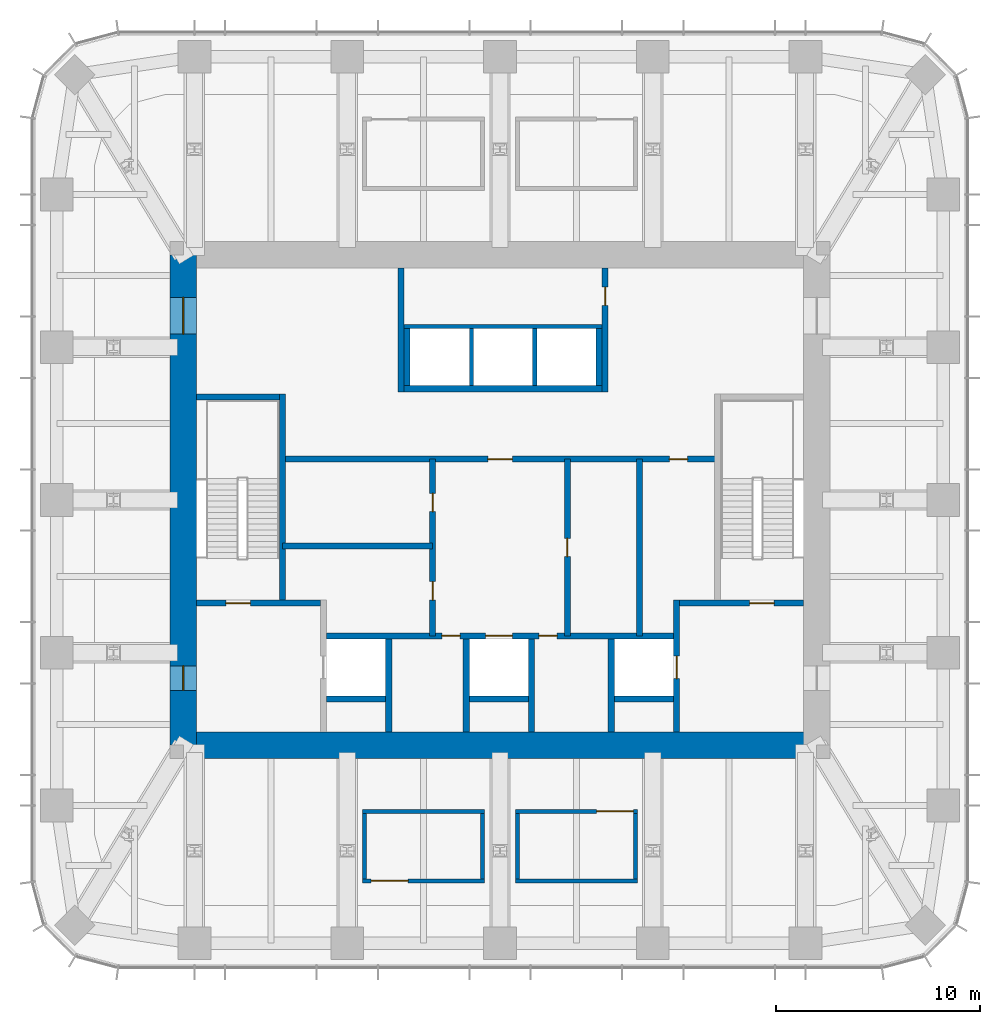
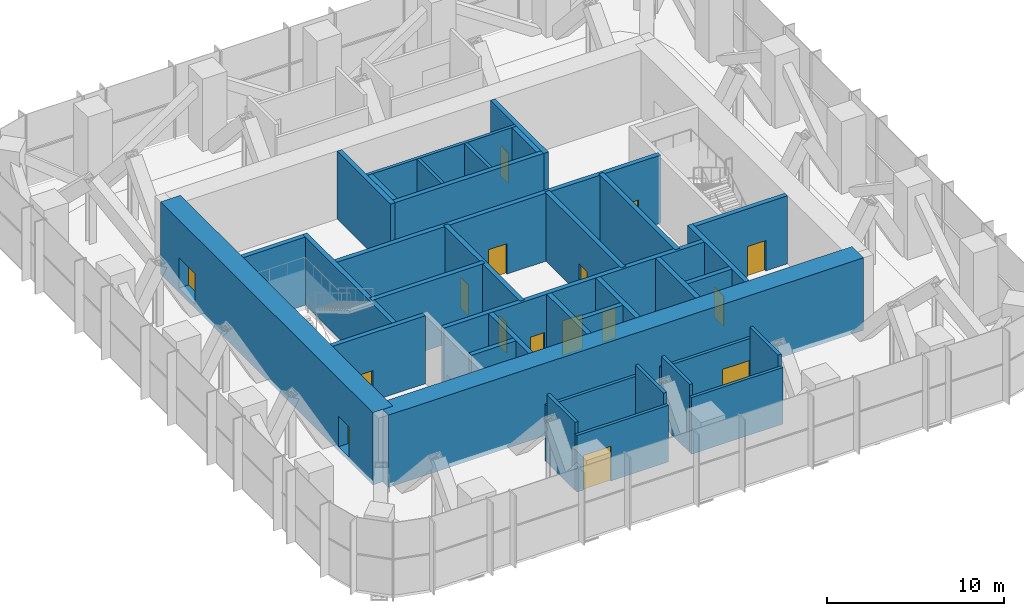
# One storey, part 7 of 9: 36 walls, 16 doors, 16 openings.
"""IFC4 building model written with IfcOpenShell, lengths in metres."""

from ifc_helpers import new_model, si_unit, direction, frame, frame_2d, origin, place, context, subcontext, project, spatial, rectangle, extrude, material, layer, layer_set, type_object, element, fill, save


model = new_model("IFC4")

# Units and contexts
model_context = context("Model", 3, precision=1e-05, world=origin(), true_north=direction((0.0, 1.0)))
body_context = subcontext(model_context, "Body", "Model", "MODEL_VIEW")
ifc_project = project(units=[si_unit("LENGTHUNIT", "METRE"), si_unit("AREAUNIT", "SQUARE_METRE"), si_unit("VOLUMEUNIT", "CUBIC_METRE"), si_unit("PLANEANGLEUNIT", "RADIAN"), si_unit("MASSUNIT", "GRAM", prefix="KILO")], contexts=[model_context])

# Site, building, storey
site_placement = place(None, origin())
site = spatial("IfcSite", under=ifc_project, at=site_placement, CompositionType="ELEMENT")
building_placement = place(site_placement, origin())
building = spatial("IfcBuilding", under=site, at=building_placement, Name="Khuree Lantern Residences", CompositionType="ELEMENT")
storey_placement = place(building_placement, frame((0.0, 0.0, 353.25)))
storey = spatial("IfcBuildingStorey", under=building, at=storey_placement, Name="L89", CompositionType="ELEMENT", Elevation=353.25)

# Wall, opening, door
ifc_material_1 = material(Name="Dense concrete blockwork", Category="masonry")
ifc_layer_1 = layer(ifc_material_1, 0.300048828125)
ifc_layer_set_1 = layer_set([ifc_layer_1], Name="CORE PARTITION WALL CPW300 EI 120")
wall_type_1 = type_object("IfcWallType", Name="CORE PARTITION WALL CPW300 EI 120", PredefinedType="PARTITIONING", material=ifc_layer_set_1)
wall_1_placement = place(storey_placement, frame((8.64990234375, -11.35009765625, 0.0), z_axis=(0.0, 0.0, 1.0), x_axis=(0.0, 1.0, 0.0)))
wall_1 = element("IfcWall", 1, at=wall_1_placement, inside=storey, type_object=wall_type_1, Name="L89 CORE WALL FL2E", PredefinedType="PARTITIONING", context=body_context, shape_type="SweptSolid", body=[
    extrude(rectangle(XDim=6.4501953125, YDim=0.300048828125, at=frame_2d((3.22509765625, 0.0))), origin(), (0.0, 0.0, 1.0), 4.699951171875),
])
opening_1_placement = place(wall_1_placement, frame((2.60009765625, 0.0, 0.0)))
opening_1 = element("IfcOpeningElement", 2, at=opening_1_placement, cuts=wall_1, Name="Opening 89-008", PredefinedType="OPENING", context=body_context, shape_type="SweptSolid", body=[
    extrude(rectangle(XDim=1.10009765625, YDim=2.10009765625, at=frame_2d((0.550048828125, 1.050048828125))), frame((0.0, 0.16015625, 0.0), z_axis=(0.0, -1.0, 0.0), x_axis=(1.0, 0.0, 0.0)), (0.0, 0.0, 1.0), 0.320068359375),
])
ifc_material_2 = material(Name="Stainless steel lift landing door", Category="steel")
door_type_1 = type_object("IfcDoorType", Name="LIFT LANDING DOOR 1100X2100 E 120", OperationType="DOUBLE_DOOR_SLIDING", PredefinedType="DOOR", material=ifc_material_2)
door_1_placement = place(opening_1_placement, origin())
door_1 = element("IfcDoor", 3, at=door_1_placement, inside=storey, type_object=door_type_1, Name="Landing door FL2 89-008", OperationType="DOUBLE_DOOR_SLIDING", OverallHeight=2.10009765625, OverallWidth=1.10009765625, PredefinedType="DOOR", context=body_context, shape_type="SweptSolid", body=[
    extrude(rectangle(XDim=1.10009765625, YDim=2.10009765625, at=frame_2d((0.550048828125, 1.050048828125))), frame((0.0, 0.02490234375, 0.0), z_axis=(0.0, -1.0, 0.0), x_axis=(1.0, 0.0, 0.0)), (0.0, 0.0, 1.0), 0.050048828125),
])
fill(opening_1, door_1)

# Wall, openings, doors
wall_2_placement = place(storey_placement, frame((-8.5, -6.64990234375, 0.0), z_axis=(0.0, 0.0, 1.0), x_axis=(1.0, 0.0, 0.0)))
wall_2 = element("IfcWall", 4, at=wall_2_placement, inside=storey, type_object=wall_type_1, Name="L89 CORE WALL FLROW", PredefinedType="PARTITIONING", context=body_context, shape_type="SweptSolid", body=[
    extrude(rectangle(XDim=17.0, YDim=0.300048828125, at=frame_2d((8.5, 0.0))), origin(), (0.0, 0.0, 1.0), 4.699951171875),
])
opening_2_placement = place(wall_2_placement, frame((7.800048828125, 0.0, 0.0)))
opening_2 = element("IfcOpeningElement", 5, at=opening_2_placement, cuts=wall_2, Name="Opening 89-009", PredefinedType="OPENING", context=body_context, shape_type="SweptSolid", body=[
    extrude(rectangle(XDim=1.300048828125, YDim=2.39990234375, at=frame_2d((0.64990234375, 1.199951171875))), frame((0.0, 0.16015625, 0.0), z_axis=(0.0, -1.0, 0.0), x_axis=(1.0, 0.0, 0.0)), (0.0, 0.0, 1.0), 0.320068359375),
])
opening_3_placement = place(wall_2_placement, frame((5.64990234375, 0.0, 0.0)))
opening_3 = element("IfcOpeningElement", 6, at=opening_3_placement, cuts=wall_2, Name="Opening 89-011", PredefinedType="OPENING", context=body_context, shape_type="SweptSolid", body=[
    extrude(rectangle(XDim=0.89990234375, YDim=2.10009765625, at=frame_2d((0.449951171875, 1.050048828125))), frame((0.0, 0.16015625, 0.0), z_axis=(0.0, -1.0, 0.0), x_axis=(1.0, 0.0, 0.0)), (0.0, 0.0, 1.0), 0.320068359375),
])
opening_4_placement = place(wall_2_placement, frame((10.39990234375, 0.0, 0.0)))
opening_4 = element("IfcOpeningElement", 7, at=opening_4_placement, cuts=wall_2, Name="Opening 89-012", PredefinedType="OPENING", context=body_context, shape_type="SweptSolid", body=[
    extrude(rectangle(XDim=0.89990234375, YDim=2.10009765625, at=frame_2d((0.449951171875, 1.050048828125))), frame((0.0, 0.16015625, 0.0), z_axis=(0.0, -1.0, 0.0), x_axis=(1.0, 0.0, 0.0)), (0.0, 0.0, 1.0), 0.320068359375),
])
ifc_material_3 = material(Name="Steel door leaf in steel frame", Category="steel")
door_type_2 = type_object("IfcDoorType", Name="DOOR 900X2100 EI 60", OperationType="SINGLE_SWING_LEFT", PredefinedType="DOOR", material=ifc_material_3)
door_2_placement = place(opening_3_placement, origin())
door_2 = element("IfcDoor", 8, at=door_2_placement, inside=storey, type_object=door_type_2, Name="Electrical riser door 89-011", OperationType="SINGLE_SWING_LEFT", OverallHeight=2.10009765625, OverallWidth=0.89990234375, PredefinedType="DOOR", context=body_context, shape_type="SweptSolid", body=[
    extrude(rectangle(XDim=0.89990234375, YDim=2.10009765625, at=frame_2d((0.449951171875, 1.050048828125))), frame((0.0, 0.02490234375, 0.0), z_axis=(0.0, -1.0, 0.0), x_axis=(1.0, 0.0, 0.0)), (0.0, 0.0, 1.0), 0.050048828125),
])
fill(opening_3, door_2)
door_type_3 = type_object("IfcDoorType", Name="DOOR 900X2100 EI 60 RIGHT HAND", OperationType="SINGLE_SWING_RIGHT", PredefinedType="DOOR", material=ifc_material_3)
door_3_placement = place(opening_4_placement, origin())
door_3 = element("IfcDoor", 9, at=door_3_placement, inside=storey, type_object=door_type_3, Name="Plumbing riser door 89-012", OperationType="SINGLE_SWING_RIGHT", OverallHeight=2.10009765625, OverallWidth=0.89990234375, PredefinedType="DOOR", context=body_context, shape_type="SweptSolid", body=[
    extrude(rectangle(XDim=0.89990234375, YDim=2.10009765625, at=frame_2d((0.449951171875, 1.050048828125))), frame((0.0, 0.02490234375, 0.0), z_axis=(0.0, -1.0, 0.0), x_axis=(1.0, 0.0, 0.0)), (0.0, 0.0, 1.0), 0.050048828125),
])
fill(opening_4, door_3)
door_type_4 = type_object("IfcDoorType", Name="LIFT LANDING DOOR 1300X2400 E 60", OperationType="DOUBLE_DOOR_SLIDING", PredefinedType="DOOR", material=ifc_material_2)
door_4_placement = place(opening_2_placement, origin())
door_4 = element("IfcDoor", 10, at=door_4_placement, inside=storey, type_object=door_type_4, Name="Landing door SL1 89-009", OperationType="DOUBLE_DOOR_SLIDING", OverallHeight=2.39990234375, OverallWidth=1.300048828125, PredefinedType="DOOR", context=body_context, shape_type="SweptSolid", body=[
    extrude(rectangle(XDim=1.300048828125, YDim=2.39990234375, at=frame_2d((0.64990234375, 1.199951171875))), frame((0.0, 0.02490234375, 0.0), z_axis=(0.0, -1.0, 0.0), x_axis=(1.0, 0.0, 0.0)), (0.0, 0.0, 1.0), 0.050048828125),
])
fill(opening_2, door_4)

# Walls
for number, where, z_axis, x_axis, name in (
    (11, (-5.449951171875, -11.35009765625, 0.0), (0.0, 0.0, 1.0), (0.0, 1.0, 0.0), "L89 CORE WALL FL1E"),
    (12, (-1.64990234375, -11.35009765625, 0.0), (0.0, 0.0, 1.0), (0.0, 1.0, 0.0), "L89 CORE WALL SL1W"),
    (13, (1.550048828125, -11.35009765625, 0.0), (0.0, 0.0, 1.0), (0.0, 1.0, 0.0), "L89 CORE WALL SL1E"),
    (14, (5.449951171875, -11.35009765625, 0.0), (0.0, 0.0, 1.0), (0.0, 1.0, 0.0), "L89 CORE WALL FL2W"),
):
    element("IfcWall", number, at=place(storey_placement, frame(where, z_axis=z_axis, x_axis=x_axis)), inside=storey, type_object=wall_type_1, Name=name, PredefinedType="PARTITIONING", context=body_context, shape_type="SweptSolid", body=[
        extrude(rectangle(XDim=4.550048828125, YDim=0.300048828125, at=frame_2d((2.27490234375, 0.0))), origin(), (0.0, 0.0, 1.0), 4.699951171875),
    ])
for number, where, z_axis, x_axis, name in (
    (15, (-8.5, -9.75, 0.0), (0.0, 0.0, 1.0), (1.0, 0.0, 0.0), "L89 CORE WALL FL1S"),
    (16, (-1.5, -9.75, 0.0), (0.0, 0.0, 1.0), (1.0, 0.0, 0.0), "L89 CORE WALL SL1S"),
    (17, (5.60009765625, -9.75, 0.0), (0.0, 0.0, 1.0), (1.0, 0.0, 0.0), "L89 CORE WALL FL2S"),
):
    element("IfcWall", number, at=place(storey_placement, frame(where, z_axis=z_axis, x_axis=x_axis)), inside=storey, type_object=wall_type_1, Name=name, PredefinedType="PARTITIONING", context=body_context, shape_type="SweptSolid", body=[
        extrude(rectangle(XDim=2.89990234375, YDim=0.300048828125, at=frame_2d((1.449951171875, 0.0))), origin(), (0.0, 0.0, 1.0), 4.699951171875),
    ])
wall_3_placement = place(storey_placement, frame((-4.699951171875, 5.449951171875, 0.0), z_axis=(0.0, 0.0, 1.0), x_axis=(1.0, 0.0, 0.0)))
element("IfcWall", 18, at=wall_3_placement, inside=storey, type_object=wall_type_1, Name="L89 CORE WALL PHS", PredefinedType="PARTITIONING", context=body_context, shape_type="SweptSolid", body=[
    extrude(rectangle(XDim=9.699951171875, YDim=0.300048828125, at=frame_2d((4.85009765625, 0.0))), origin(), (0.0, 0.0, 1.0), 4.699951171875),
])
for number, where, z_axis, x_axis, name in (
    (19, (-4.550048828125, 5.60009765625, 0.0), (0.0, 0.0, 1.0), (0.0, 1.0, 0.0), "L89 CORE WALL PHW"),
    (20, (4.85009765625, 5.60009765625, 0.0), (0.0, 0.0, 1.0), (0.0, 1.0, 0.0), "L89 CORE WALL PHE"),
):
    element("IfcWall", number, at=place(storey_placement, frame(where, z_axis=z_axis, x_axis=x_axis)), inside=storey, type_object=wall_type_1, Name=name, PredefinedType="PARTITIONING", context=body_context, shape_type="SweptSolid", body=[
        extrude(rectangle(XDim=2.7998046875, YDim=0.300048828125, at=frame_2d((1.39990234375, 0.0))), origin(), (0.0, 0.0, 1.0), 4.699951171875),
    ])

# Wall, openings, doors
wall_4_placement = place(storey_placement, frame((-10.64990234375, 2.0, 0.0), z_axis=(0.0, 0.0, 1.0), x_axis=(1.0, 0.0, 0.0)))
wall_4 = element("IfcWall", 21, at=wall_4_placement, inside=storey, type_object=wall_type_1, Name="L89 CORE WALL LLS", PredefinedType="PARTITIONING", context=body_context, shape_type="SweptSolid", body=[
    extrude(rectangle(XDim=21.2998046875, YDim=0.300048828125, at=frame_2d((10.64990234375, 0.0))), origin(), (0.0, 0.0, 1.0), 4.699951171875),
])
opening_5_placement = place(wall_4_placement, frame((10.050048828125, 0.0, 0.0)))
opening_5 = element("IfcOpeningElement", 22, at=opening_5_placement, cuts=wall_4, Name="Opening 89-010", PredefinedType="OPENING", context=body_context, shape_type="SweptSolid", body=[
    extrude(rectangle(XDim=1.199951171875, YDim=2.10009765625, at=frame_2d((0.60009765625, 1.050048828125))), frame((0.0, 0.16015625, 0.0), z_axis=(0.0, -1.0, 0.0), x_axis=(1.0, 0.0, 0.0)), (0.0, 0.0, 1.0), 0.320068359375),
])
opening_6_placement = place(wall_4_placement, frame((18.94189453125, 0.0, 0.0)))
opening_6 = element("IfcOpeningElement", 23, at=opening_6_placement, cuts=wall_4, Name="Opening 89-016", PredefinedType="OPENING", context=body_context, shape_type="SweptSolid", body=[
    extrude(rectangle(XDim=0.89990234375, YDim=2.10009765625, at=frame_2d((0.449951171875, 1.050048828125))), frame((0.0, 0.16015625, 0.0), z_axis=(0.0, -1.0, 0.0), x_axis=(1.0, 0.0, 0.0)), (0.0, 0.0, 1.0), 0.320068359375),
])
door_type_5 = type_object("IfcDoorType", Name="DOOR 1200X2100 EI 60", OperationType="SINGLE_SWING_LEFT", PredefinedType="DOOR", material=ifc_material_3)
door_5_placement = place(opening_5_placement, origin())
door_5 = element("IfcDoor", 24, at=door_5_placement, inside=storey, type_object=door_type_5, Name="Service lift lobby door 89-010", OperationType="SINGLE_SWING_LEFT", OverallHeight=2.10009765625, OverallWidth=1.199951171875, PredefinedType="DOOR", context=body_context, shape_type="SweptSolid", body=[
    extrude(rectangle(XDim=1.199951171875, YDim=2.10009765625, at=frame_2d((0.60009765625, 1.050048828125))), frame((0.0, 0.02490234375, 0.0), z_axis=(0.0, -1.0, 0.0), x_axis=(1.0, 0.0, 0.0)), (0.0, 0.0, 1.0), 0.050048828125),
])
fill(opening_5, door_5)
ifc_material_4 = material(Name="Timber door leaf in hardwood frame", Category="wood")
door_type_6 = type_object("IfcDoorType", Name="DOOR 900X2100 RIGHT HAND", OperationType="SINGLE_SWING_RIGHT", PredefinedType="DOOR", material=ifc_material_4)
door_6_placement = place(opening_6_placement, origin())
door_6 = element("IfcDoor", 25, at=door_6_placement, inside=storey, type_object=door_type_6, Name="Store door 89-016", OperationType="SINGLE_SWING_RIGHT", OverallHeight=2.10009765625, OverallWidth=0.89990234375, PredefinedType="DOOR", context=body_context, shape_type="SweptSolid", body=[
    extrude(rectangle(XDim=0.89990234375, YDim=2.10009765625, at=frame_2d((0.449951171875, 1.050048828125))), frame((0.0, 0.02490234375, 0.0), z_axis=(0.0, -1.0, 0.0), x_axis=(1.0, 0.0, 0.0)), (0.0, 0.0, 1.0), 0.050048828125),
])
fill(opening_6, door_6)

wall_5_placement = place(storey_placement, frame((-3.300048828125, -6.64990234375, 0.0), z_axis=(0.0, 0.0, 1.0), x_axis=(0.0, 1.0, 0.0)))
wall_5 = element("IfcWall", 26, at=wall_5_placement, inside=storey, type_object=wall_type_1, Name="L89 CORE WALL SVW", PredefinedType="PARTITIONING", context=body_context, shape_type="SweptSolid", body=[
    extrude(rectangle(XDim=8.64990234375, YDim=0.300048828125, at=frame_2d((4.324951171875, 0.0))), origin(), (0.0, 0.0, 1.0), 4.699951171875),
])
opening_7_placement = place(wall_5_placement, frame((1.75, 0.0, 0.0)))
opening_7 = element("IfcOpeningElement", 27, at=opening_7_placement, cuts=wall_5, Name="Opening 89-013", PredefinedType="OPENING", context=body_context, shape_type="SweptSolid", body=[
    extrude(rectangle(XDim=0.89990234375, YDim=2.10009765625, at=frame_2d((0.449951171875, 1.050048828125))), frame((0.0, 0.16015625, 0.0), z_axis=(0.0, -1.0, 0.0), x_axis=(1.0, 0.0, 0.0)), (0.0, 0.0, 1.0), 0.320068359375),
])
opening_8_placement = place(wall_5_placement, frame((6.074951171875, 0.0, 0.0)))
opening_8 = element("IfcOpeningElement", 28, at=opening_8_placement, cuts=wall_5, Name="Opening 89-014", PredefinedType="OPENING", context=body_context, shape_type="SweptSolid", body=[
    extrude(rectangle(XDim=0.89990234375, YDim=2.10009765625, at=frame_2d((0.449951171875, 1.050048828125))), frame((0.0, 0.16015625, 0.0), z_axis=(0.0, -1.0, 0.0), x_axis=(1.0, 0.0, 0.0)), (0.0, 0.0, 1.0), 0.320068359375),
])
door_type_7 = type_object("IfcDoorType", Name="DOOR 900X2100", OperationType="SINGLE_SWING_LEFT", PredefinedType="DOOR", material=ifc_material_4)
door_7_placement = place(opening_7_placement, origin())
door_7 = element("IfcDoor", 29, at=door_7_placement, inside=storey, type_object=door_type_7, Name="Store door 89-013", OperationType="SINGLE_SWING_LEFT", OverallHeight=2.10009765625, OverallWidth=0.89990234375, PredefinedType="DOOR", context=body_context, shape_type="SweptSolid", body=[
    extrude(rectangle(XDim=0.89990234375, YDim=2.10009765625, at=frame_2d((0.449951171875, 1.050048828125))), frame((0.0, 0.02490234375, 0.0), z_axis=(0.0, -1.0, 0.0), x_axis=(1.0, 0.0, 0.0)), (0.0, 0.0, 1.0), 0.050048828125),
])
fill(opening_7, door_7)
door_8_placement = place(opening_8_placement, origin())
door_8 = element("IfcDoor", 30, at=door_8_placement, inside=storey, type_object=door_type_7, Name="Store door 89-014", OperationType="SINGLE_SWING_LEFT", OverallHeight=2.10009765625, OverallWidth=0.89990234375, PredefinedType="DOOR", context=body_context, shape_type="SweptSolid", body=[
    extrude(rectangle(XDim=0.89990234375, YDim=2.10009765625, at=frame_2d((0.449951171875, 1.050048828125))), frame((0.0, 0.02490234375, 0.0), z_axis=(0.0, -1.0, 0.0), x_axis=(1.0, 0.0, 0.0)), (0.0, 0.0, 1.0), 0.050048828125),
])
fill(opening_8, door_8)

# Wall, opening, door
wall_6_placement = place(storey_placement, frame((3.300048828125, -6.64990234375, 0.0), z_axis=(0.0, 0.0, 1.0), x_axis=(0.0, 1.0, 0.0)))
wall_6 = element("IfcWall", 31, at=wall_6_placement, inside=storey, type_object=wall_type_1, Name="L89 CORE WALL SVE", PredefinedType="PARTITIONING", context=body_context, shape_type="SweptSolid", body=[
    extrude(rectangle(XDim=8.64990234375, YDim=0.300048828125, at=frame_2d((4.324951171875, 0.0))), origin(), (0.0, 0.0, 1.0), 4.699951171875),
])
opening_9_placement = place(wall_6_placement, frame((3.875, 0.0, 0.0)))
opening_9 = element("IfcOpeningElement", 32, at=opening_9_placement, cuts=wall_6, Name="Opening 89-015", PredefinedType="OPENING", context=body_context, shape_type="SweptSolid", body=[
    extrude(rectangle(XDim=0.89990234375, YDim=2.10009765625, at=frame_2d((0.449951171875, 1.050048828125))), frame((0.0, 0.16015625, 0.0), z_axis=(0.0, -1.0, 0.0), x_axis=(1.0, 0.0, 0.0)), (0.0, 0.0, 1.0), 0.320068359375),
])
door_9_placement = place(opening_9_placement, origin())
door_9 = element("IfcDoor", 33, at=door_9_placement, inside=storey, type_object=door_type_7, Name="Store door 89-015", OperationType="SINGLE_SWING_LEFT", OverallHeight=2.10009765625, OverallWidth=0.89990234375, PredefinedType="DOOR", context=body_context, shape_type="SweptSolid", body=[
    extrude(rectangle(XDim=0.89990234375, YDim=2.10009765625, at=frame_2d((0.449951171875, 1.050048828125))), frame((0.0, 0.02490234375, 0.0), z_axis=(0.0, -1.0, 0.0), x_axis=(1.0, 0.0, 0.0)), (0.0, 0.0, 1.0), 0.050048828125),
])
fill(opening_9, door_9)

# Walls
wall_7_placement = place(storey_placement, frame((-10.64990234375, -2.25, 0.0), z_axis=(0.0, 0.0, 1.0), x_axis=(1.0, 0.0, 0.0)))
element("IfcWall", 34, at=wall_7_placement, inside=storey, type_object=wall_type_1, Name="L89 CORE WALL WX", PredefinedType="PARTITIONING", context=body_context, shape_type="SweptSolid", body=[
    extrude(rectangle(XDim=7.349853515625, YDim=0.300048828125, at=frame_2d((3.6748046875, 0.0))), origin(), (0.0, 0.0, 1.0), 4.699951171875),
])
wall_8_placement = place(storey_placement, frame((6.833984375, -6.64990234375, 0.0), z_axis=(0.0, 0.0, 1.0), x_axis=(0.0, 1.0, 0.0)))
element("IfcWall", 35, at=wall_8_placement, inside=storey, type_object=wall_type_1, Name="L89 CORE WALL EV", PredefinedType="PARTITIONING", context=body_context, shape_type="SweptSolid", body=[
    extrude(rectangle(XDim=8.64990234375, YDim=0.300048828125, at=frame_2d((4.324951171875, 0.0))), origin(), (0.0, 0.0, 1.0), 4.699951171875),
])
wall_9_placement = place(storey_placement, frame((-4.85009765625, 5.300048828125, 0.0), z_axis=(0.0, 0.0, 1.0), x_axis=(0.0, 1.0, 0.0)))
element("IfcWall", 36, at=wall_9_placement, inside=storey, type_object=wall_type_1, Name="L89 CORE WALL NW", PredefinedType="PARTITIONING", context=body_context, shape_type="SweptSolid", body=[
    extrude(rectangle(XDim=6.050048828125, YDim=0.300048828125, at=frame_2d((3.02490234375, 0.0))), origin(), (0.0, 0.0, 1.0), 4.699951171875),
])

# Wall, opening, door
wall_10_placement = place(storey_placement, frame((5.14990234375, 5.300048828125, 0.0), z_axis=(0.0, 0.0, 1.0), x_axis=(0.0, 1.0, 0.0)))
wall_10 = element("IfcWall", 37, at=wall_10_placement, inside=storey, type_object=wall_type_1, Name="L89 CORE WALL NE", PredefinedType="PARTITIONING", context=body_context, shape_type="SweptSolid", body=[
    extrude(rectangle(XDim=6.050048828125, YDim=0.300048828125, at=frame_2d((3.02490234375, 0.0))), origin(), (0.0, 0.0, 1.0), 4.699951171875),
])
opening_10_placement = place(wall_10_placement, frame((4.22509765625, 0.0, 0.0)))
opening_10 = element("IfcOpeningElement", 38, at=opening_10_placement, cuts=wall_10, Name="Opening 89-017", PredefinedType="OPENING", context=body_context, shape_type="SweptSolid", body=[
    extrude(rectangle(XDim=0.89990234375, YDim=2.10009765625, at=frame_2d((0.449951171875, 1.050048828125))), frame((0.0, 0.16015625, 0.0), z_axis=(0.0, -1.0, 0.0), x_axis=(1.0, 0.0, 0.0)), (0.0, 0.0, 1.0), 0.320068359375),
])
door_10_placement = place(opening_10_placement, origin())
door_10 = element("IfcDoor", 39, at=door_10_placement, inside=storey, type_object=door_type_7, Name="Store door 89-017", OperationType="SINGLE_SWING_LEFT", OverallHeight=2.10009765625, OverallWidth=0.89990234375, PredefinedType="DOOR", context=body_context, shape_type="SweptSolid", body=[
    extrude(rectangle(XDim=0.89990234375, YDim=2.10009765625, at=frame_2d((0.449951171875, 1.050048828125))), frame((0.0, 0.02490234375, 0.0), z_axis=(0.0, -1.0, 0.0), x_axis=(1.0, 0.0, 0.0)), (0.0, 0.0, 1.0), 0.050048828125),
])
fill(opening_10, door_10)

# Wall
ifc_material_5 = material(Name="Concrete C50/60", Category="concrete")
ifc_layer_2 = layer(ifc_material_5, 1.300048828125)
ifc_layer_set_2 = layer_set([ifc_layer_2], Name="CW1300-C50 CORE WALL C50 1300")
wall_type_2 = type_object("IfcWallType", Name="CW1300-C50 CORE WALL C50 1300", PredefinedType="SHEAR", material=ifc_layer_set_2)
wall_11_placement = place(storey_placement, frame((-15.5, -12.0, -0.300048828125), z_axis=(0.0, 0.0, 1.0), x_axis=(1.0, 0.0, 0.0)))
element("IfcWall", 40, at=wall_11_placement, inside=storey, type_object=wall_type_2, Name="Core wall S", PredefinedType="SHEAR", context=body_context, shape_type="SweptSolid", body=[
    extrude(rectangle(XDim=31.0, YDim=1.300048828125, at=frame_2d((15.5, 0.0))), origin(), (0.0, 0.0, 1.0), 5.0),
])

# Wall, openings, doors
wall_12_placement = place(storey_placement, frame((-15.5, -12.0, -0.300048828125), z_axis=(0.0, 0.0, 1.0), x_axis=(0.0, 1.0, 0.0)))
wall_12 = element("IfcWall", 41, at=wall_12_placement, inside=storey, type_object=wall_type_2, Name="Core wall W", PredefinedType="SHEAR", context=body_context, shape_type="SweptSolid", body=[
    extrude(rectangle(XDim=24.0, YDim=1.300048828125, at=frame_2d((12.0, 0.0))), origin(), (0.0, 0.0, 1.0), 5.0),
])
opening_11_placement = place(wall_12_placement, frame((2.675048828125, 0.0, 0.300048828125)))
opening_11 = element("IfcOpeningElement", 42, at=opening_11_placement, cuts=wall_12, Name="Opening 89-002", PredefinedType="OPENING", context=body_context, shape_type="SweptSolid", body=[
    extrude(rectangle(XDim=1.199951171875, YDim=2.10009765625, at=frame_2d((0.60009765625, 1.050048828125))), frame((0.0, 0.66015625, 0.0), z_axis=(0.0, -1.0, 0.0), x_axis=(1.0, 0.0, 0.0)), (0.0, 0.0, 1.0), 1.320068359375),
])
opening_12_placement = place(wall_12_placement, frame((20.125, 0.0, 0.300048828125)))
opening_12 = element("IfcOpeningElement", 43, at=opening_12_placement, cuts=wall_12, Name="Opening 89-003", PredefinedType="OPENING", context=body_context, shape_type="SweptSolid", body=[
    extrude(rectangle(XDim=1.800048828125, YDim=2.10009765625, at=frame_2d((0.89990234375, 1.050048828125))), frame((0.0, 0.66015625, 0.0), z_axis=(0.0, -1.0, 0.0), x_axis=(1.0, 0.0, 0.0)), (0.0, 0.0, 1.0), 1.320068359375),
])
door_type_8 = type_object("IfcDoorType", Name="LOBBY DOOR 1200X2100 EI 120", OperationType="SINGLE_SWING_LEFT", PredefinedType="DOOR", material=ifc_material_3)
door_11_placement = place(opening_11_placement, origin())
door_11 = element("IfcDoor", 44, at=door_11_placement, inside=storey, type_object=door_type_8, Name="Firefighting lobby door 89-002", OperationType="SINGLE_SWING_LEFT", OverallHeight=2.10009765625, OverallWidth=1.199951171875, PredefinedType="DOOR", context=body_context, shape_type="SweptSolid", body=[
    extrude(rectangle(XDim=1.199951171875, YDim=2.10009765625, at=frame_2d((0.60009765625, 1.050048828125))), frame((0.0, 0.02490234375, 0.0), z_axis=(0.0, -1.0, 0.0), x_axis=(1.0, 0.0, 0.0)), (0.0, 0.0, 1.0), 0.050048828125),
])
fill(opening_11, door_11)
door_type_9 = type_object("IfcDoorType", Name="LOBBY DOUBLE DOOR 1800X2100 EI 60", OperationType="DOUBLE_DOOR_SINGLE_SWING", PredefinedType="DOOR", material=ifc_material_3)
door_12_placement = place(opening_12_placement, origin())
door_12 = element("IfcDoor", 45, at=door_12_placement, inside=storey, type_object=door_type_9, Name="Lift lobby door 89-003", OperationType="DOUBLE_DOOR_SINGLE_SWING", OverallHeight=2.10009765625, OverallWidth=1.800048828125, PredefinedType="DOOR", context=body_context, shape_type="SweptSolid", body=[
    extrude(rectangle(XDim=1.800048828125, YDim=2.10009765625, at=frame_2d((0.89990234375, 1.050048828125))), frame((0.0, 0.02490234375, 0.0), z_axis=(0.0, -1.0, 0.0), x_axis=(1.0, 0.0, 0.0)), (0.0, 0.0, 1.0), 0.050048828125),
])
fill(opening_12, door_12)

# Wall, opening, door
ifc_layer_3 = layer(ifc_material_1, 0.199951171875)
ifc_layer_set_3 = layer_set([ifc_layer_3], Name="FIRE-RATED ROOM WALL FRW200 EI 120")
wall_type_3 = type_object("IfcWallType", Name="FIRE-RATED ROOM WALL FRW200 EI 120", PredefinedType="SOLIDWALL", material=ifc_layer_set_3)
wall_13_placement = place(storey_placement, frame((-6.72998046875, -18.64990234375, 0.0), z_axis=(0.0, 0.0, 1.0), x_axis=(1.0, 0.0, 0.0)))
wall_13 = element("IfcWall", 46, at=wall_13_placement, inside=storey, type_object=wall_type_3, Name="L89 ROOM WALL 1", PredefinedType="SOLIDWALL", context=body_context, shape_type="SweptSolid", body=[
    extrude(rectangle(XDim=5.97998046875, YDim=0.199951171875, at=frame_2d((2.989990234375, 0.0))), origin(), (0.0, 0.0, 1.0), 3.909912109375),
])
opening_13_placement = place(wall_13_placement, frame((0.42578125, 0.0, 0.0)))
opening_13 = element("IfcOpeningElement", 47, at=opening_13_placement, cuts=wall_13, Name="Opening 89-020", PredefinedType="OPENING", context=body_context, shape_type="SweptSolid", body=[
    extrude(rectangle(XDim=1.800048828125, YDim=2.39990234375, at=frame_2d((0.89990234375, 1.199951171875))), frame((0.0, 0.10986328125, 0.0), z_axis=(0.0, -1.0, 0.0), x_axis=(1.0, 0.0, 0.0)), (0.0, 0.0, 1.0), 0.219970703125),
])
door_type_10 = type_object("IfcDoorType", Name="PLANT ROOM DOOR 1800X2400 EI 60", OperationType="DOUBLE_DOOR_SINGLE_SWING", PredefinedType="DOOR", material=ifc_material_3)
door_13_placement = place(opening_13_placement, origin())
door_13 = element("IfcDoor", 48, at=door_13_placement, inside=storey, type_object=door_type_10, Name="Chiller plant room door 89-020", OperationType="DOUBLE_DOOR_SINGLE_SWING", OverallHeight=2.39990234375, OverallWidth=1.800048828125, PredefinedType="DOOR", context=body_context, shape_type="SweptSolid", body=[
    extrude(rectangle(XDim=1.800048828125, YDim=2.39990234375, at=frame_2d((0.89990234375, 1.199951171875))), frame((0.0, 0.02490234375, 0.0), z_axis=(0.0, -1.0, 0.0), x_axis=(1.0, 0.0, 0.0)), (0.0, 0.0, 1.0), 0.050048828125),
])
fill(opening_13, door_13)

# Walls
wall_14_placement = place(storey_placement, frame((0.75, -18.64990234375, 0.0), z_axis=(0.0, 0.0, 1.0), x_axis=(1.0, 0.0, 0.0)))
element("IfcWall", 49, at=wall_14_placement, inside=storey, type_object=wall_type_3, Name="L89 ROOM WALL 2", PredefinedType="SOLIDWALL", context=body_context, shape_type="SweptSolid", body=[
    extrude(rectangle(XDim=5.97998046875, YDim=0.199951171875, at=frame_2d((2.989990234375, 0.0))), origin(), (0.0, 0.0, 1.0), 3.909912109375),
])
for number, where, z_axis, x_axis, name in (
    (50, (-6.6298828125, -18.550048828125, 0.0), (0.0, 0.0, 1.0), (0.0, 1.0, 0.0), "L89 ROOM WALL 3"),
    (51, (-0.85009765625, -18.550048828125, 0.0), (0.0, 0.0, 1.0), (0.0, 1.0, 0.0), "L89 ROOM WALL 4"),
    (52, (0.85009765625, -18.550048828125, 0.0), (0.0, 0.0, 1.0), (0.0, 1.0, 0.0), "L89 ROOM WALL 5"),
    (53, (6.6298828125, -18.550048828125, 0.0), (0.0, 0.0, 1.0), (0.0, 1.0, 0.0), "L89 ROOM WALL 6"),
):
    element("IfcWall", number, at=place(storey_placement, frame(where, z_axis=z_axis, x_axis=x_axis)), inside=storey, type_object=wall_type_3, Name=name, PredefinedType="SOLIDWALL", context=body_context, shape_type="SweptSolid", body=[
        extrude(rectangle(XDim=3.199951171875, YDim=0.199951171875, at=frame_2d((1.60009765625, 0.0))), origin(), (0.0, 0.0, 1.0), 4.699951171875),
    ])
wall_15_placement = place(storey_placement, frame((-6.72998046875, -15.25, 0.0), z_axis=(0.0, 0.0, 1.0), x_axis=(1.0, 0.0, 0.0)))
element("IfcWall", 54, at=wall_15_placement, inside=storey, type_object=wall_type_3, Name="L89 ROOM WALL 7", PredefinedType="SOLIDWALL", context=body_context, shape_type="SweptSolid", body=[
    extrude(rectangle(XDim=5.97998046875, YDim=0.199951171875, at=frame_2d((2.989990234375, 0.0))), origin(), (0.0, 0.0, 1.0), 3.909912109375),
])

# Wall, opening, door
wall_16_placement = place(storey_placement, frame((0.75, -15.25, 0.0), z_axis=(0.0, 0.0, 1.0), x_axis=(1.0, 0.0, 0.0)))
wall_16 = element("IfcWall", 55, at=wall_16_placement, inside=storey, type_object=wall_type_3, Name="L89 ROOM WALL 8", PredefinedType="SOLIDWALL", context=body_context, shape_type="SweptSolid", body=[
    extrude(rectangle(XDim=5.97998046875, YDim=0.199951171875, at=frame_2d((2.989990234375, 0.0))), origin(), (0.0, 0.0, 1.0), 3.909912109375),
])
opening_14_placement = place(wall_16_placement, frame((3.9794921875, 0.0, 0.0)))
opening_14 = element("IfcOpeningElement", 56, at=opening_14_placement, cuts=wall_16, Name="Opening 89-021", PredefinedType="OPENING", context=body_context, shape_type="SweptSolid", body=[
    extrude(rectangle(XDim=1.800048828125, YDim=2.39990234375, at=frame_2d((0.89990234375, 1.199951171875))), frame((0.0, 0.10986328125, 0.0), z_axis=(0.0, -1.0, 0.0), x_axis=(1.0, 0.0, 0.0)), (0.0, 0.0, 1.0), 0.219970703125),
])
door_14_placement = place(opening_14_placement, origin())
door_14 = element("IfcDoor", 57, at=door_14_placement, inside=storey, type_object=door_type_10, Name="Chiller plant room door 89-021", OperationType="DOUBLE_DOOR_SINGLE_SWING", OverallHeight=2.39990234375, OverallWidth=1.800048828125, PredefinedType="DOOR", context=body_context, shape_type="SweptSolid", body=[
    extrude(rectangle(XDim=1.800048828125, YDim=2.39990234375, at=frame_2d((0.89990234375, 1.199951171875))), frame((0.0, 0.02490234375, 0.0), z_axis=(0.0, -1.0, 0.0), x_axis=(1.0, 0.0, 0.0)), (0.0, 0.0, 1.0), 0.050048828125),
])
fill(opening_14, door_14)

# Walls
ifc_layer_4 = layer(ifc_material_1, 0.199951171875)
ifc_layer_set_4 = layer_set([ifc_layer_4], Name="SHAFT WALL SHW200 EI 120")
wall_type_4 = type_object("IfcWallType", Name="SHAFT WALL SHW200 EI 120", PredefinedType="PARTITIONING", material=ifc_layer_set_4)
wall_17_placement = place(storey_placement, frame((-4.699951171875, 8.5, 0.0), z_axis=(0.0, 0.0, 1.0), x_axis=(1.0, 0.0, 0.0)))
element("IfcWall", 58, at=wall_17_placement, inside=storey, type_object=wall_type_4, Name="L89 CORE WALL PHN", PredefinedType="PARTITIONING", context=body_context, shape_type="SweptSolid", body=[
    extrude(rectangle(XDim=9.699951171875, YDim=0.199951171875, at=frame_2d((4.85009765625, 0.0))), origin(), (0.0, 0.0, 1.0), 4.699951171875),
])
for number, where, z_axis, x_axis, name in (
    (59, (-1.39990234375, 5.60009765625, 0.0), (0.0, 0.0, 1.0), (0.0, 1.0, 0.0), "L89 CORE WALL PHD1"),
    (60, (1.699951171875, 5.60009765625, 0.0), (0.0, 0.0, 1.0), (0.0, 1.0, 0.0), "L89 CORE WALL PHD2"),
):
    element("IfcWall", number, at=place(storey_placement, frame(where, z_axis=z_axis, x_axis=x_axis)), inside=storey, type_object=wall_type_4, Name=name, PredefinedType="PARTITIONING", context=body_context, shape_type="SweptSolid", body=[
        extrude(rectangle(XDim=2.7998046875, YDim=0.199951171875, at=frame_2d((1.39990234375, 0.0))), origin(), (0.0, 0.0, 1.0), 4.699951171875),
    ])
ifc_layer_5 = layer(ifc_material_5, 0.300048828125)
ifc_layer_set_5 = layer_set([ifc_layer_5], Name="STAIR WALL SRW300 C50/60 REI 240")
wall_type_5 = type_object("IfcWallType", Name="STAIR WALL SRW300 C50/60 REI 240", PredefinedType="SOLIDWALL", material=ifc_layer_set_5)
wall_18_placement = place(storey_placement, frame((-10.64990234375, -4.89990234375, 0.0), z_axis=(0.0, 0.0, 1.0), x_axis=(0.0, 1.0, 0.0)))
element("IfcWall", 61, at=wall_18_placement, inside=storey, type_object=wall_type_5, Name="L89 STAIR WALL ST1E", PredefinedType="SOLIDWALL", context=body_context, shape_type="SweptSolid", body=[
    extrude(rectangle(XDim=10.099853515625, YDim=0.300048828125, at=frame_2d((5.0498046875, 0.0))), origin(), (0.0, 0.0, 1.0), 4.699951171875),
])

# Wall, opening, door
wall_19_placement = place(storey_placement, frame((-14.85009765625, -5.050048828125, 0.0), z_axis=(0.0, 0.0, 1.0), x_axis=(1.0, 0.0, 0.0)))
wall_19 = element("IfcWall", 62, at=wall_19_placement, inside=storey, type_object=wall_type_5, Name="L89 STAIR WALL ST1S", PredefinedType="SOLIDWALL", context=body_context, shape_type="SweptSolid", body=[
    extrude(rectangle(XDim=6.050048828125, YDim=0.300048828125, at=frame_2d((3.02490234375, 0.0))), origin(), (0.0, 0.0, 1.0), 4.699951171875),
])
opening_15_placement = place(wall_19_placement, frame((1.425048828125, 0.0, 0.0)))
opening_15 = element("IfcOpeningElement", 63, at=opening_15_placement, cuts=wall_19, Name="Opening 89-001", PredefinedType="OPENING", context=body_context, shape_type="SweptSolid", body=[
    extrude(rectangle(XDim=1.199951171875, YDim=2.10009765625, at=frame_2d((0.60009765625, 1.050048828125))), frame((0.0, 0.16015625, 0.0), z_axis=(0.0, -1.0, 0.0), x_axis=(1.0, 0.0, 0.0)), (0.0, 0.0, 1.0), 0.320068359375),
])
door_type_11 = type_object("IfcDoorType", Name="STAIR DOOR 1200X2100 EI 120", OperationType="SINGLE_SWING_LEFT", PredefinedType="DOOR", material=ifc_material_3)
door_15_placement = place(opening_15_placement, origin())
door_15 = element("IfcDoor", 64, at=door_15_placement, inside=storey, type_object=door_type_11, Name="Stair ST1 door 89-001", OperationType="SINGLE_SWING_LEFT", OverallHeight=2.10009765625, OverallWidth=1.199951171875, PredefinedType="DOOR", context=body_context, shape_type="SweptSolid", body=[
    extrude(rectangle(XDim=1.199951171875, YDim=2.10009765625, at=frame_2d((0.60009765625, 1.050048828125))), frame((0.0, 0.02490234375, 0.0), z_axis=(0.0, -1.0, 0.0), x_axis=(1.0, 0.0, 0.0)), (0.0, 0.0, 1.0), 0.050048828125),
])
fill(opening_15, door_15)

# Wall
wall_20_placement = place(storey_placement, frame((-14.85009765625, 5.050048828125, 0.0), z_axis=(0.0, 0.0, 1.0), x_axis=(1.0, 0.0, 0.0)))
element("IfcWall", 65, at=wall_20_placement, inside=storey, type_object=wall_type_5, Name="L89 STAIR WALL ST1N", PredefinedType="SOLIDWALL", context=body_context, shape_type="SweptSolid", body=[
    extrude(rectangle(XDim=4.050048828125, YDim=0.300048828125, at=frame_2d((2.02490234375, 0.0))), origin(), (0.0, 0.0, 1.0), 4.699951171875),
])

# Wall, opening, door
wall_21_placement = place(storey_placement, frame((14.85009765625, -5.050048828125, 0.0), z_axis=(0.0, 0.0, 1.0), x_axis=(-1.0, 0.0, 0.0)))
wall_21 = element("IfcWall", 66, at=wall_21_placement, inside=storey, type_object=wall_type_5, Name="L89 STAIR WALL ST2S", PredefinedType="SOLIDWALL", context=body_context, shape_type="SweptSolid", body=[
    extrude(rectangle(XDim=6.050048828125, YDim=0.300048828125, at=frame_2d((3.02490234375, 0.0))), origin(), (0.0, 0.0, 1.0), 4.699951171875),
])
opening_16_placement = place(wall_21_placement, frame((1.425048828125, 0.0, 0.0)))
opening_16 = element("IfcOpeningElement", 67, at=opening_16_placement, cuts=wall_21, Name="Opening 89-004", PredefinedType="OPENING", context=body_context, shape_type="SweptSolid", body=[
    extrude(rectangle(XDim=1.199951171875, YDim=2.10009765625, at=frame_2d((0.60009765625, 1.050048828125))), frame((0.0, 0.16015625, 0.0), z_axis=(0.0, -1.0, 0.0), x_axis=(1.0, 0.0, 0.0)), (0.0, 0.0, 1.0), 0.320068359375),
])
door_16_placement = place(opening_16_placement, origin())
door_16 = element("IfcDoor", 68, at=door_16_placement, inside=storey, type_object=door_type_11, Name="Stair ST2 door 89-004", OperationType="SINGLE_SWING_LEFT", OverallHeight=2.10009765625, OverallWidth=1.199951171875, PredefinedType="DOOR", context=body_context, shape_type="SweptSolid", body=[
    extrude(rectangle(XDim=1.199951171875, YDim=2.10009765625, at=frame_2d((0.60009765625, 1.050048828125))), frame((0.0, 0.02490234375, 0.0), z_axis=(0.0, -1.0, 0.0), x_axis=(1.0, 0.0, 0.0)), (0.0, 0.0, 1.0), 0.050048828125),
])
fill(opening_16, door_16)

save(model, "model.ifc")
